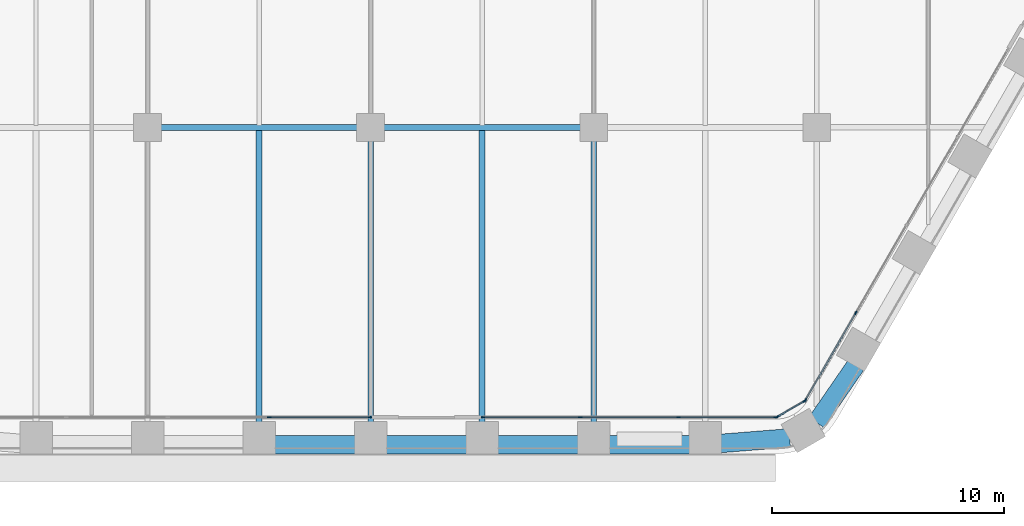
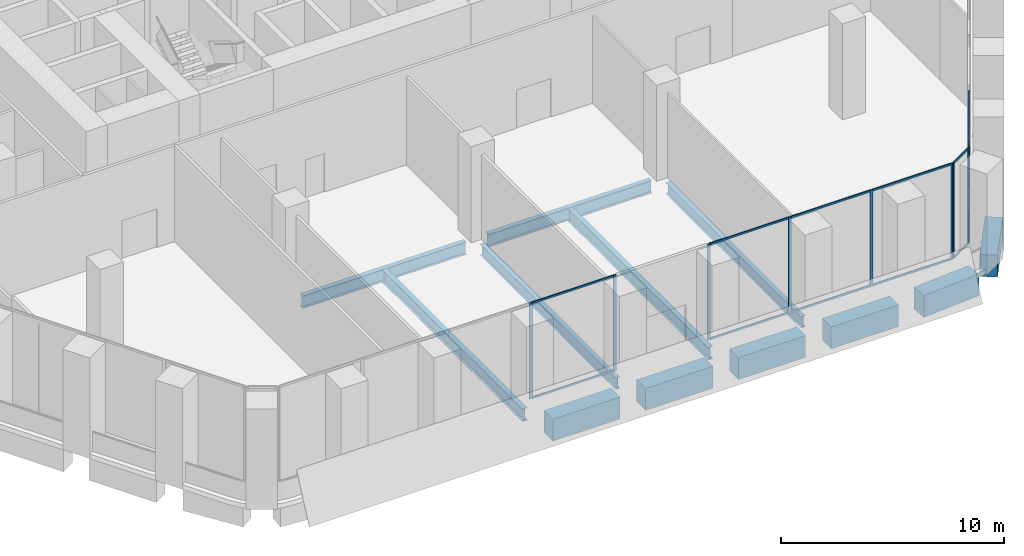
# One storey, part 4 of 27: 22 members, 12 beams, 4 elements without a shape of their own.
"""IFC4 building model written with IfcOpenShell, lengths in metres."""

from ifc_helpers import new_model, si_unit, direction, frame, origin, origin_2d, place, context, subcontext, project, spatial, rectangle, i_section, extrude, material, material_profile, profile_set, type_object, element, aggregate, save


model = new_model("IFC4")

# Units and contexts
model_context = context("Model", 3, precision=1e-05, world=origin(), true_north=direction((0.0, 1.0)))
body_context = subcontext(model_context, "Body", "Model", "MODEL_VIEW")
ifc_project = project(units=[si_unit("LENGTHUNIT", "METRE"), si_unit("AREAUNIT", "SQUARE_METRE"), si_unit("VOLUMEUNIT", "CUBIC_METRE"), si_unit("PLANEANGLEUNIT", "RADIAN"), si_unit("MASSUNIT", "GRAM", prefix="KILO")], contexts=[model_context])

# Site, building, storey
site_placement = place(None, origin())
site = spatial("IfcSite", under=ifc_project, at=site_placement, CompositionType="ELEMENT")
building_placement = place(site_placement, origin())
building = spatial("IfcBuilding", under=site, at=building_placement, Name="Kolab Exchange Tower", CompositionType="ELEMENT")
storey_placement = place(building_placement, frame((0.0, 0.0, 44.39990234375)))
storey = spatial("IfcBuildingStorey", under=building, at=storey_placement, Name="L08", CompositionType="ELEMENT", Elevation=44.39990234375)

# Beams
ifc_material_1 = material(Name="Steel S355", Category="steel")
ifc_material_profile_1 = material_profile(ifc_material_1, i_section(OverallWidth=0.22802734375, OverallDepth=0.60791015625, WebThickness=0.01123046875, FlangeThickness=0.017333984375, at=origin_2d()), Name="W610X113")
ifc_profile_set_1 = profile_set([ifc_material_profile_1], Name="Steel S355")
beam_type_1 = type_object("IfcBeamType", Name="FLOOR BEAM W610X113", PredefinedType="BEAM", material=ifc_profile_set_1)
for number, where, z_axis, x_axis, name in (
    (1, (0.0, -31.8955078125, -0.553955078125), (0.0, 1.0, 0.0), (-1.0, 0.0, 0.0), "beam/L08/fr/030"),
    (2, (9.60009765625, -31.8955078125, -0.553955078125), (0.0, 1.0, 0.0), (-1.0, 0.0, 0.0), "beam/L08/fr/038"),
):
    element("IfcBeam", number, at=place(storey_placement, frame(where, z_axis=z_axis, x_axis=x_axis)), inside=storey, type_object=beam_type_1, Name=name, PredefinedType="BEAM", context=body_context, shape_type="SweptSolid", body=[
        extrude(i_section(OverallWidth=0.22802734375, OverallDepth=0.60791015625, WebThickness=0.01123046875, FlangeThickness=0.017333984375, at=origin_2d()), origin(), (0.0, 0.0, 1.0), 12.135498046875),
    ])
ifc_material_profile_2 = material_profile(ifc_material_1, i_section(OverallWidth=0.25390625, OverallDepth=0.68408203125, WebThickness=0.012451171875, FlangeThickness=0.018798828125, at=origin_2d()), Name="W690X140")
ifc_profile_set_2 = profile_set([ifc_material_profile_2], Name="Steel S355")
beam_type_2 = type_object("IfcBeamType", Name="FLOOR BEAM W690X140", PredefinedType="BEAM", material=ifc_profile_set_2)
for number, where, z_axis, x_axis, name in (
    (3, (-4.800048828125, -31.8955078125, -0.591796875), (0.0, 1.0, 0.0), (-1.0, 0.0, 0.0), "beam/L08/fr/026"),
    (4, (4.800048828125, -31.8955078125, -0.591796875), (0.0, 1.0, 0.0), (-1.0, 0.0, 0.0), "beam/L08/fr/034"),
):
    element("IfcBeam", number, at=place(storey_placement, frame(where, z_axis=z_axis, x_axis=x_axis)), inside=storey, type_object=beam_type_2, Name=name, PredefinedType="BEAM", context=body_context, shape_type="SweptSolid", body=[
        extrude(i_section(OverallWidth=0.25390625, OverallDepth=0.68408203125, WebThickness=0.012451171875, FlangeThickness=0.018798828125, at=origin_2d()), origin(), (0.0, 0.0, 1.0), 12.6083984375),
    ])
ifc_material_profile_3 = material_profile(ifc_material_1, i_section(OverallWidth=0.25390625, OverallDepth=0.68408203125, WebThickness=0.012451171875, FlangeThickness=0.018798828125, at=origin_2d()), Name="W690X140")
ifc_profile_set_3 = profile_set([ifc_material_profile_3], Name="Steel S355")
beam_type_3 = type_object("IfcBeamType", Name="FLOOR GIRDER W690X140", PredefinedType="BEAM", material=ifc_profile_set_3)
for number, where, z_axis, x_axis, name in (
    (5, (-9.0400390625, -19.199951171875, -0.591796875), (1.0, 0.0, 0.0), (0.0, 1.0, 0.0), "beam/L08/gd/011"),
    (6, (0.56005859375, -19.199951171875, -0.591796875), (1.0, 0.0, 0.0), (0.0, 1.0, 0.0), "beam/L08/gd/013"),
):
    element("IfcBeam", number, at=place(storey_placement, frame(where, z_axis=z_axis, x_axis=x_axis)), inside=storey, type_object=beam_type_3, Name=name, PredefinedType="BEAM", context=body_context, shape_type="SweptSolid", body=[
        extrude(i_section(OverallWidth=0.25390625, OverallDepth=0.68408203125, WebThickness=0.012451171875, FlangeThickness=0.018798828125, at=origin_2d()), origin(), (0.0, 0.0, 1.0), 8.47998046875),
    ])
ifc_material_2 = material(Name="Concrete C80/95", Category="concrete")
ifc_material_profile_4 = material_profile(ifc_material_2, rectangle(XDim=0.800048828125, YDim=1.199951171875, at=origin_2d()), Name="RC800X1200")
ifc_profile_set_4 = profile_set([ifc_material_profile_4], Name="Concrete C80/95")
beam_type_4 = type_object("IfcBeamType", Name="SPANDREL BEAM 800X1200 C80/95", PredefinedType="BEAM", material=ifc_profile_set_4)
beam_1_placement = place(storey_placement, frame((20.8779296875, -29.44384765625, -0.849853515625), z_axis=(-0.567247290755, -0.823547516013, 0.0), x_axis=(0.823547516013, -0.567247290755, 0.0)))
element("IfcBeam", 7, at=beam_1_placement, inside=storey, type_object=beam_type_4, Name="beam/L08/sp/F3-08", PredefinedType="BEAM", context=body_context, shape_type="SweptSolid", body=[
    extrude(rectangle(XDim=0.800048828125, YDim=1.199951171875, at=origin_2d()), origin(), (0.0, 0.0, 1.0), 2.984375),
])
beam_2_placement = place(storey_placement, frame((18.03515625, -32.5654296875, -0.849853515625), z_axis=(-0.996833978278, -0.07951112973, 0.0), x_axis=(0.07951112973, -0.996833978278, 0.0)))
element("IfcBeam", 8, at=beam_2_placement, inside=storey, type_object=beam_type_4, Name="beam/L08/sp/F4-01", PredefinedType="BEAM", context=body_context, shape_type="SweptSolid", body=[
    extrude(rectangle(XDim=0.800048828125, YDim=1.199951171875, at=origin_2d()), origin(), (0.0, 0.0, 1.0), 2.984619140625),
])
for number, where, z_axis, x_axis, name in (
    (9, (13.739990234375, -32.85546875, -0.849853515625), (-1.0, 0.0, 0.0), (0.0, -1.0, 0.0), "beam/L08/sp/F4-02"),
    (10, (8.93994140625, -32.85546875, -0.849853515625), (-1.0, 0.0, 0.0), (0.0, -1.0, 0.0), "beam/L08/sp/F4-03"),
    (11, (4.139892578125, -32.85546875, -0.849853515625), (-1.0, 0.0, 0.0), (0.0, -1.0, 0.0), "beam/L08/sp/F4-04"),
    (12, (-0.659912109375, -32.85546875, -0.849853515625), (-1.0, 0.0, 0.0), (0.0, -1.0, 0.0), "beam/L08/sp/F4-05"),
):
    element("IfcBeam", number, at=place(storey_placement, frame(where, z_axis=z_axis, x_axis=x_axis)), inside=storey, type_object=beam_type_4, Name=name, PredefinedType="BEAM", context=body_context, shape_type="SweptSolid", body=[
        extrude(rectangle(XDim=0.800048828125, YDim=1.199951171875, at=origin_2d()), origin(), (0.0, 0.0, 1.0), 3.47998046875),
    ])

# Curtain wall, members
ifc_material_3 = material(Name="Aluminium EN AW-6063 T6", Category="aluminium")
curtain_wall_type = type_object("IfcCurtainWallType", Name="UNITISED LOW ZONE CURTAIN WALL", PredefinedType="NOTDEFINED", material=ifc_material_3)
curtain_wall_1_placement = place(storey_placement, origin())
curtain_wall_1 = element("IfcCurtainWall", 13, at=curtain_wall_1_placement, inside=storey, type_object=curtain_wall_type, Name="cw/L08/F3-2", PredefinedType="NOTDEFINED")
ifc_material_profile_5 = material_profile(ifc_material_3, rectangle(XDim=0.06005859375, YDim=0.159912109375, at=origin_2d()), Name="RECT 60X160")
ifc_profile_set_5 = profile_set([ifc_material_profile_5], Name="Aluminium EN AW-6063 T6")
member_type_1 = type_object("IfcMemberType", Name="UNITISED LOW ZONE MULLION 60 X 160", PredefinedType="MULLION", material=ifc_profile_set_5)
member_1_placement = place(storey_placement, frame((20.881103515625, -27.183349609375, 0.0), z_axis=(0.0, 0.0, 1.0), x_axis=(0.866025397318, -0.5000000112, 0.0)))
member_1 = element("IfcMember", 14, at=member_1_placement, type_object=member_type_1, Name="CW1 mullion 4", PredefinedType="MULLION", context=body_context, shape_type="SweptSolid", body=[
    extrude(rectangle(XDim=0.06005859375, YDim=0.159912109375, at=origin_2d()), origin(), (0.0, 0.0, 1.0), 5.25),
])
member_2_placement = place(storey_placement, frame((18.712646484375, -30.939453125, 0.0), z_axis=(0.0, 0.0, 1.0), x_axis=(0.866025397318, -0.5000000112, 0.0)))
member_2 = element("IfcMember", 15, at=member_2_placement, type_object=member_type_1, Name="CW1 mullion 5", PredefinedType="MULLION", context=body_context, shape_type="SweptSolid", body=[
    extrude(rectangle(XDim=0.06005859375, YDim=0.159912109375, at=origin_2d()), origin(), (0.0, 0.0, 1.0), 5.25),
])

curtain_wall_2_placement = place(storey_placement, origin())
curtain_wall_2 = element("IfcCurtainWall", 16, at=curtain_wall_2_placement, inside=storey, type_object=curtain_wall_type, Name="cw/L08/F4-1", PredefinedType="NOTDEFINED")
member_3_placement = place(storey_placement, frame((17.43798828125, -31.67529296875, 0.0), z_axis=(0.0, 0.0, 1.0), x_axis=(0.0, -1.0, 0.0)))
member_3 = element("IfcMember", 17, at=member_3_placement, type_object=member_type_1, Name="CW1 mullion 1", PredefinedType="MULLION", context=body_context, shape_type="SweptSolid", body=[
    extrude(rectangle(XDim=0.06005859375, YDim=0.159912109375, at=origin_2d()), origin(), (0.0, 0.0, 1.0), 5.25),
])
member_4_placement = place(storey_placement, frame((13.245361328125, -31.67529296875, 0.0), z_axis=(0.0, 0.0, 1.0), x_axis=(0.0, -1.0, 0.0)))
member_4 = element("IfcMember", 18, at=member_4_placement, type_object=member_type_1, Name="CW1 mullion 2", PredefinedType="MULLION", context=body_context, shape_type="SweptSolid", body=[
    extrude(rectangle(XDim=0.06005859375, YDim=0.159912109375, at=origin_2d()), origin(), (0.0, 0.0, 1.0), 5.25),
])
member_5_placement = place(storey_placement, frame((9.022705078125, -31.67529296875, 0.0), z_axis=(0.0, 0.0, 1.0), x_axis=(0.0, -1.0, 0.0)))
member_5 = element("IfcMember", 19, at=member_5_placement, type_object=member_type_1, Name="CW1 mullion 3", PredefinedType="MULLION", context=body_context, shape_type="SweptSolid", body=[
    extrude(rectangle(XDim=0.06005859375, YDim=0.159912109375, at=origin_2d()), origin(), (0.0, 0.0, 1.0), 5.25),
])
member_6_placement = place(storey_placement, frame((4.830078125, -31.67529296875, 0.0), z_axis=(0.0, 0.0, 1.0), x_axis=(0.0, -1.0, 0.0)))
member_6 = element("IfcMember", 20, at=member_6_placement, type_object=member_type_1, Name="CW1 mullion 4", PredefinedType="MULLION", context=body_context, shape_type="SweptSolid", body=[
    extrude(rectangle(XDim=0.06005859375, YDim=0.159912109375, at=origin_2d()), origin(), (0.0, 0.0, 1.0), 5.25),
])

curtain_wall_3_placement = place(storey_placement, origin())
curtain_wall_3 = element("IfcCurtainWall", 21, at=curtain_wall_3_placement, inside=storey, type_object=curtain_wall_type, Name="cw/L08/F4-2", PredefinedType="NOTDEFINED")
member_7_placement = place(storey_placement, frame((-0.030029296875, -31.67529296875, 0.0), z_axis=(0.0, 0.0, 1.0), x_axis=(0.0, -1.0, 0.0)))
member_7 = element("IfcMember", 22, at=member_7_placement, type_object=member_type_1, Name="CW1 mullion 1", PredefinedType="MULLION", context=body_context, shape_type="SweptSolid", body=[
    extrude(rectangle(XDim=0.06005859375, YDim=0.159912109375, at=origin_2d()), origin(), (0.0, 0.0, 1.0), 5.25),
])
member_8_placement = place(storey_placement, frame((-4.366943359375, -31.67529296875, 0.0), z_axis=(0.0, 0.0, 1.0), x_axis=(0.0, -1.0, 0.0)))
member_8 = element("IfcMember", 23, at=member_8_placement, type_object=member_type_1, Name="CW1 mullion 2", PredefinedType="MULLION", context=body_context, shape_type="SweptSolid", body=[
    extrude(rectangle(XDim=0.06005859375, YDim=0.159912109375, at=origin_2d()), origin(), (0.0, 0.0, 1.0), 5.25),
])

curtain_wall_4_placement = place(storey_placement, origin())
curtain_wall_4 = element("IfcCurtainWall", 24, at=curtain_wall_4_placement, inside=storey, type_object=curtain_wall_type, Name="cw/L08/F3F4-corner", PredefinedType="NOTDEFINED")
member_9_placement = place(storey_placement, frame((18.671630859375, -30.98046875, 0.0), z_axis=(0.0, 0.0, 1.0), x_axis=(0.50000002237, -0.866025390869, 0.0)))
member_9 = element("IfcMember", 25, at=member_9_placement, type_object=member_type_1, Name="CW1 mullion 1", PredefinedType="MULLION", context=body_context, shape_type="SweptSolid", body=[
    extrude(rectangle(XDim=0.06005859375, YDim=0.159912109375, at=origin_2d()), origin(), (0.0, 0.0, 1.0), 5.25),
])
member_10_placement = place(storey_placement, frame((17.493896484375, -31.660400390625, 0.0), z_axis=(0.0, 0.0, 1.0), x_axis=(0.50000002237, -0.866025390869, 0.0)))
member_10 = element("IfcMember", 26, at=member_10_placement, type_object=member_type_1, Name="CW1 mullion 2", PredefinedType="MULLION", context=body_context, shape_type="SweptSolid", body=[
    extrude(rectangle(XDim=0.06005859375, YDim=0.159912109375, at=origin_2d()), origin(), (0.0, 0.0, 1.0), 5.25),
])

# Member
ifc_material_profile_6 = material_profile(ifc_material_3, rectangle(XDim=0.06005859375, YDim=0.10009765625, at=origin_2d()), Name="RECT 60X100")
ifc_profile_set_6 = profile_set([ifc_material_profile_6], Name="Aluminium EN AW-6063 T6")
member_type_2 = type_object("IfcMemberType", Name="UNITISED LOW ZONE TRANSOM 60 X 100", PredefinedType="USERDEFINED", material=ifc_profile_set_6)
member_11_placement = place(storey_placement, frame((20.8662109375, -27.20947265625, 0.030029296875), z_axis=(-0.500000816281, -0.866024932504, 0.0), x_axis=(0.866024932504, -0.500000816281, 0.0)))
member_11 = element("IfcMember", 27, at=member_11_placement, type_object=member_type_2, Name="CW1 transom 4.1", ObjectType="TRANSOM", PredefinedType="USERDEFINED", context=body_context, shape_type="SweptSolid", body=[
    extrude(rectangle(XDim=0.06005859375, YDim=0.10009765625, at=origin_2d()), origin(), (0.0, 0.0, 1.0), 4.27685546875),
])

member_12_placement = place(storey_placement, frame((20.8662109375, -27.20947265625, 5.22021484375), z_axis=(-0.500000816281, -0.866024932504, 0.0), x_axis=(0.866024932504, -0.500000816281, 0.0)))
member_12 = element("IfcMember", 28, at=member_12_placement, type_object=member_type_2, Name="CW1 transom 4.2", ObjectType="TRANSOM", PredefinedType="USERDEFINED", context=body_context, shape_type="SweptSolid", body=[
    extrude(rectangle(XDim=0.06005859375, YDim=0.10009765625, at=origin_2d()), origin(), (0.0, 0.0, 1.0), 4.27685546875),
])

aggregate(curtain_wall_1, [member_1, member_2, member_11, member_12])

member_13_placement = place(storey_placement, frame((17.407958984375, -31.67529296875, 0.030029296875), z_axis=(-1.0, 0.0, 0.0), x_axis=(0.0, -1.0, 0.0)))
member_13 = element("IfcMember", 29, at=member_13_placement, type_object=member_type_2, Name="CW1 transom 1.1", ObjectType="TRANSOM", PredefinedType="USERDEFINED", context=body_context, shape_type="SweptSolid", body=[
    extrude(rectangle(XDim=0.06005859375, YDim=0.10009765625, at=origin_2d()), origin(), (0.0, 0.0, 1.0), 4.132568359375),
])

member_14_placement = place(storey_placement, frame((17.407958984375, -31.67529296875, 5.22021484375), z_axis=(-1.0, 0.0, 0.0), x_axis=(0.0, -1.0, 0.0)))
member_14 = element("IfcMember", 30, at=member_14_placement, type_object=member_type_2, Name="CW1 transom 1.2", ObjectType="TRANSOM", PredefinedType="USERDEFINED", context=body_context, shape_type="SweptSolid", body=[
    extrude(rectangle(XDim=0.06005859375, YDim=0.10009765625, at=origin_2d()), origin(), (0.0, 0.0, 1.0), 4.132568359375),
])

member_15_placement = place(storey_placement, frame((13.21533203125, -31.67529296875, 0.030029296875), z_axis=(-1.0, 0.0, 0.0), x_axis=(0.0, -1.0, 0.0)))
member_15 = element("IfcMember", 31, at=member_15_placement, type_object=member_type_2, Name="CW1 transom 2.1", ObjectType="TRANSOM", PredefinedType="USERDEFINED", context=body_context, shape_type="SweptSolid", body=[
    extrude(rectangle(XDim=0.06005859375, YDim=0.10009765625, at=origin_2d()), origin(), (0.0, 0.0, 1.0), 4.16259765625),
])

member_16_placement = place(storey_placement, frame((13.21533203125, -31.67529296875, 5.22021484375), z_axis=(-1.0, 0.0, 0.0), x_axis=(0.0, -1.0, 0.0)))
member_16 = element("IfcMember", 32, at=member_16_placement, type_object=member_type_2, Name="CW1 transom 2.2", ObjectType="TRANSOM", PredefinedType="USERDEFINED", context=body_context, shape_type="SweptSolid", body=[
    extrude(rectangle(XDim=0.06005859375, YDim=0.10009765625, at=origin_2d()), origin(), (0.0, 0.0, 1.0), 4.16259765625),
])

member_17_placement = place(storey_placement, frame((8.99267578125, -31.67529296875, 0.030029296875), z_axis=(-1.0, 0.0, 0.0), x_axis=(0.0, -1.0, 0.0)))
member_17 = element("IfcMember", 33, at=member_17_placement, type_object=member_type_2, Name="CW1 transom 3.1", ObjectType="TRANSOM", PredefinedType="USERDEFINED", context=body_context, shape_type="SweptSolid", body=[
    extrude(rectangle(XDim=0.06005859375, YDim=0.10009765625, at=origin_2d()), origin(), (0.0, 0.0, 1.0), 4.132568359375),
])

member_18_placement = place(storey_placement, frame((8.99267578125, -31.67529296875, 5.22021484375), z_axis=(-1.0, 0.0, 0.0), x_axis=(0.0, -1.0, 0.0)))
member_18 = element("IfcMember", 34, at=member_18_placement, type_object=member_type_2, Name="CW1 transom 3.2", ObjectType="TRANSOM", PredefinedType="USERDEFINED", context=body_context, shape_type="SweptSolid", body=[
    extrude(rectangle(XDim=0.06005859375, YDim=0.10009765625, at=origin_2d()), origin(), (0.0, 0.0, 1.0), 4.132568359375),
])

aggregate(curtain_wall_2, [member_3, member_4, member_5, member_6, member_13, member_14, member_15, member_16, member_17, member_18])

member_19_placement = place(storey_placement, frame((-0.06005859375, -31.67529296875, 0.030029296875), z_axis=(-1.0, 0.0, 0.0), x_axis=(0.0, -1.0, 0.0)))
member_19 = element("IfcMember", 35, at=member_19_placement, type_object=member_type_2, Name="CW1 transom 1.1", ObjectType="TRANSOM", PredefinedType="USERDEFINED", context=body_context, shape_type="SweptSolid", body=[
    extrude(rectangle(XDim=0.06005859375, YDim=0.10009765625, at=origin_2d()), origin(), (0.0, 0.0, 1.0), 4.27685546875),
])

member_20_placement = place(storey_placement, frame((-0.06005859375, -31.67529296875, 5.22021484375), z_axis=(-1.0, 0.0, 0.0), x_axis=(0.0, -1.0, 0.0)))
member_20 = element("IfcMember", 36, at=member_20_placement, type_object=member_type_2, Name="CW1 transom 1.2", ObjectType="TRANSOM", PredefinedType="USERDEFINED", context=body_context, shape_type="SweptSolid", body=[
    extrude(rectangle(XDim=0.06005859375, YDim=0.10009765625, at=origin_2d()), origin(), (0.0, 0.0, 1.0), 4.27685546875),
])

aggregate(curtain_wall_3, [member_7, member_8, member_19, member_20])

member_21_placement = place(storey_placement, frame((18.645751953125, -30.995361328125, 0.030029296875), z_axis=(-0.86603858612, -0.49997716683, 0.0), x_axis=(0.49997716683, -0.86603858612, 0.0)))
member_21 = element("IfcMember", 37, at=member_21_placement, type_object=member_type_2, Name="CW1 transom 1.1", ObjectType="TRANSOM", PredefinedType="USERDEFINED", context=body_context, shape_type="SweptSolid", body=[
    extrude(rectangle(XDim=0.06005859375, YDim=0.10009765625, at=origin_2d()), origin(), (0.0, 0.0, 1.0), 1.2998046875),
])

member_22_placement = place(storey_placement, frame((18.645751953125, -30.995361328125, 5.22021484375), z_axis=(-0.86603858612, -0.49997716683, 0.0), x_axis=(0.49997716683, -0.86603858612, 0.0)))
member_22 = element("IfcMember", 38, at=member_22_placement, type_object=member_type_2, Name="CW1 transom 1.2", ObjectType="TRANSOM", PredefinedType="USERDEFINED", context=body_context, shape_type="SweptSolid", body=[
    extrude(rectangle(XDim=0.06005859375, YDim=0.10009765625, at=origin_2d()), origin(), (0.0, 0.0, 1.0), 1.2998046875),
])

aggregate(curtain_wall_4, [member_9, member_10, member_21, member_22])

save(model, "model.ifc")
